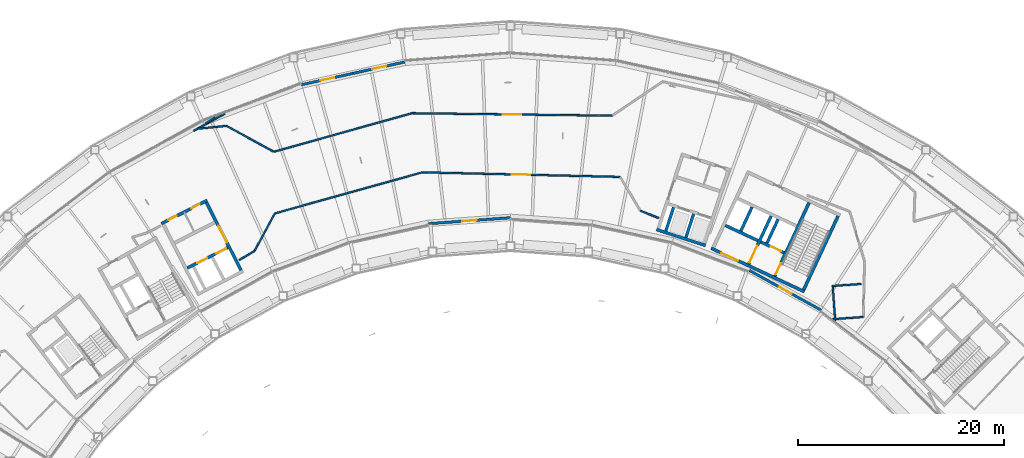
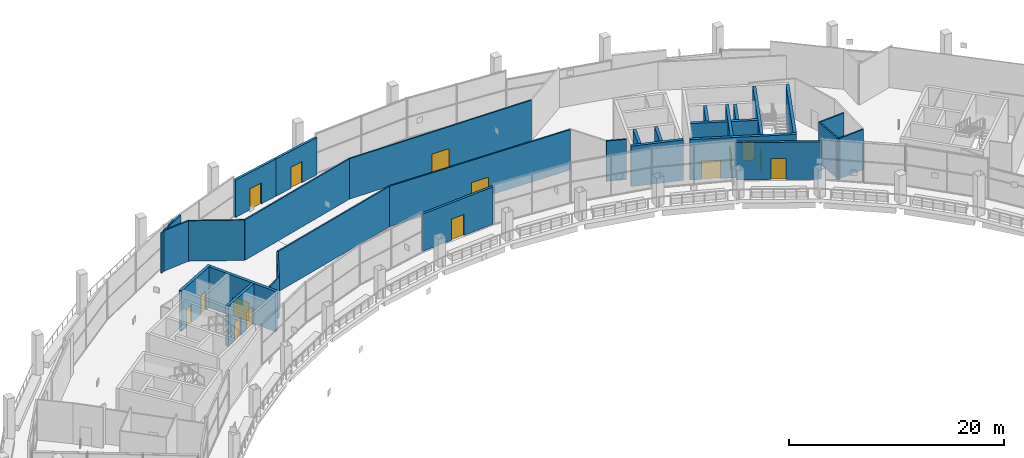
# One storey, part 17 of 29: 32 walls, 15 doors, 15 openings.
"""IFC4 building model written with IfcOpenShell, lengths in metres."""

from ifc_helpers import new_model, si_unit, direction, frame, frame_2d, origin, place, context, subcontext, project, spatial, rectangle, extrude, material, layer, layer_set, type_object, element, fill, save


model = new_model("IFC4")

# Units and contexts
model_context = context("Model", 3, precision=1e-05, world=origin(), true_north=direction((0.0, 1.0)))
body_context = subcontext(model_context, "Body", "Model", "MODEL_VIEW")
ifc_project = project(units=[si_unit("LENGTHUNIT", "METRE"), si_unit("AREAUNIT", "SQUARE_METRE"), si_unit("VOLUMEUNIT", "CUBIC_METRE"), si_unit("PLANEANGLEUNIT", "RADIAN"), si_unit("MASSUNIT", "GRAM", prefix="KILO")], contexts=[model_context])

# Site, building, storey
site_placement = place(None, origin())
site = spatial("IfcSite", under=ifc_project, at=site_placement, CompositionType="ELEMENT")
building_placement = place(site_placement, origin())
building = spatial("IfcBuilding", under=site, at=building_placement, Name="Tuul Gate Civic Tower", CompositionType="ELEMENT")
storey_placement = place(building_placement, frame((0.0, 0.0, 238.89990234375)))
storey = spatial("IfcBuildingStorey", under=building, at=storey_placement, Name="Sky garden level 2", CompositionType="ELEMENT", Elevation=238.89990234375)

# Wall, opening, door
ifc_material_1 = material(Name="Concrete C50/60", Category="concrete")
ifc_layer_1 = layer(ifc_material_1, 0.300048828125)
ifc_layer_set_1 = layer_set([ifc_layer_1], Name="Concrete C50/60")
wall_type_1 = type_object("IfcWallType", Name="Core wall C50/60", PredefinedType="SHEAR", material=ifc_layer_set_1)
wall_1_placement = place(storey_placement, frame((34.5283203125, -7.25, 0.0), z_axis=(0.0, 0.0, 1.0), x_axis=(-0.906310338845, 0.422612789327, 0.0)))
wall_1 = element("IfcWall", 1, at=wall_1_placement, inside=storey, type_object=wall_type_1, Name="Core wall", PredefinedType="SHEAR", context=body_context, shape_type="SweptSolid", body=[
    extrude(rectangle(XDim=9.999755859375, YDim=0.300048828125, at=frame_2d((5.0, 0.0))), origin(), (0.0, 0.0, 1.0), 4.60009765625),
])
opening_1_placement = place(wall_1_placement, frame((7.125, 0.0, 0.0)))
opening_1 = element("IfcOpeningElement", 2, at=opening_1_placement, cuts=wall_1, Name="Opening LB-E3-LOBBY-1", PredefinedType="OPENING", context=body_context, shape_type="SweptSolid", body=[
    extrude(rectangle(XDim=1.800048828125, YDim=2.10009765625, at=frame_2d((0.89990234375, 1.050048828125))), frame((0.0, 0.16015625, 0.0), z_axis=(0.0, -1.0, 0.0), x_axis=(1.0, 0.0, 0.0)), (0.0, 0.0, 1.0), 0.320068359375),
])
ifc_material_2 = material(Name="Steel", Category="steel")
door_type_1 = type_object("IfcDoorType", Name="Lobby door", OperationType="DOUBLE_DOOR_SINGLE_SWING", PredefinedType="DOOR", material=ifc_material_2)
door_1_placement = place(opening_1_placement, origin())
door_1 = element("IfcDoor", 3, at=door_1_placement, inside=storey, type_object=door_type_1, Name="Lobby door E3-LOBBY", OperationType="DOUBLE_DOOR_SINGLE_SWING", OverallHeight=2.10009765625, OverallWidth=1.800048828125, PredefinedType="DOOR", context=body_context, shape_type="SweptSolid", body=[
    extrude(rectangle(XDim=1.800048828125, YDim=2.10009765625, at=frame_2d((0.89990234375, 1.050048828125))), frame((0.0, 0.02490234375, 0.0), z_axis=(0.0, -1.0, 0.0), x_axis=(1.0, 0.0, 0.0)), (0.0, 0.0, 1.0), 0.050048828125),
])
fill(opening_1, door_1)

wall_2_placement = place(storey_placement, frame((32.545654296875, -3.456787109375, 0.0), z_axis=(0.0, 0.0, 1.0), x_axis=(-0.906300357825, 0.42263419337, 0.0)))
wall_2 = element("IfcWall", 4, at=wall_2_placement, inside=storey, type_object=wall_type_1, Name="Core wall", PredefinedType="SHEAR", context=body_context, shape_type="SweptSolid", body=[
    extrude(rectangle(XDim=2.500244140625, YDim=0.300048828125, at=frame_2d((1.25, 0.0))), origin(), (0.0, 0.0, 1.0), 4.60009765625),
])
opening_2_placement = place(wall_2_placement, frame((0.324951171875, 0.0, 0.0)))
opening_2 = element("IfcOpeningElement", 5, at=opening_2_placement, cuts=wall_2, Name="Opening LD-FF-2", PredefinedType="OPENING", context=body_context, shape_type="SweptSolid", body=[
    extrude(rectangle(XDim=1.10009765625, YDim=2.10009765625, at=frame_2d((0.550048828125, 1.050048828125))), frame((0.0, 0.16015625, 0.0), z_axis=(0.0, -1.0, 0.0), x_axis=(1.0, 0.0, 0.0)), (0.0, 0.0, 1.0), 0.320068359375),
])
ifc_material_3 = material(Name="Stainless steel", Category="steel")
door_type_2 = type_object("IfcDoorType", Name="Landing door", OperationType="DOUBLE_DOOR_SLIDING", PredefinedType="DOOR", material=ifc_material_3)
door_2_placement = place(opening_2_placement, origin())
door_2 = element("IfcDoor", 6, at=door_2_placement, inside=storey, type_object=door_type_2, Name="Fire-fighting lift FF-2 landing door", OperationType="DOUBLE_DOOR_SLIDING", OverallHeight=2.10009765625, OverallWidth=1.10009765625, PredefinedType="DOOR", context=body_context, shape_type="SweptSolid", body=[
    extrude(rectangle(XDim=1.10009765625, YDim=2.10009765625, at=frame_2d((0.550048828125, 1.050048828125))), frame((0.0, 0.02490234375, 0.0), z_axis=(0.0, -1.0, 0.0), x_axis=(1.0, 0.0, 0.0)), (0.0, 0.0, 1.0), 0.050048828125),
])
fill(opening_2, door_2)

# Walls
wall_3_placement = place(storey_placement, frame((30.0078125, -2.2734375, 0.0), z_axis=(0.0, 0.0, 1.0), x_axis=(-0.90630071767, 0.422633421716, 0.0)))
element("IfcWall", 7, at=wall_3_placement, inside=storey, type_object=wall_type_1, Name="Core wall", PredefinedType="SHEAR", context=body_context, shape_type="SweptSolid", body=[
    extrude(rectangle(XDim=3.5, YDim=0.300048828125, at=frame_2d((1.75, 0.0))), origin(), (0.0, 0.0, 1.0), 4.60009765625),
])
wall_4_placement = place(storey_placement, frame((34.455810546875, -7.05078125, 0.0), z_axis=(0.0, 0.0, 1.0), x_axis=(0.422570768258, 0.906329932096, 0.0)))
element("IfcWall", 8, at=wall_4_placement, inside=storey, type_object=wall_type_1, Name="Core wall", PredefinedType="SHEAR", context=body_context, shape_type="SweptSolid", body=[
    extrude(rectangle(XDim=7.900146484375, YDim=0.300048828125, at=frame_2d((3.9501953125, 0.0))), origin(), (0.0, 0.0, 1.0), 4.60009765625),
])

# Wall, opening, door
wall_5_placement = place(storey_placement, frame((31.646240234375, -5.740478515625, 0.0), z_axis=(0.0, 0.0, 1.0), x_axis=(0.422582604137, 0.906324413596, 0.0)))
wall_5 = element("IfcWall", 9, at=wall_5_placement, inside=storey, type_object=wall_type_1, Name="Core wall", PredefinedType="SHEAR", context=body_context, shape_type="SweptSolid", body=[
    extrude(rectangle(XDim=7.89990234375, YDim=0.300048828125, at=frame_2d((3.949951171875, 0.0))), origin(), (0.0, 0.0, 1.0), 4.60009765625),
])
opening_3_placement = place(wall_5_placement, frame((0.199951171875, 0.0, 0.0)))
opening_3 = element("IfcOpeningElement", 10, at=opening_3_placement, cuts=wall_5, Name="Opening SD-ST-4", PredefinedType="OPENING", context=body_context, shape_type="SweptSolid", body=[
    extrude(rectangle(XDim=1.199951171875, YDim=2.10009765625, at=frame_2d((0.60009765625, 1.050048828125))), frame((0.0, 0.16015625, 0.0), z_axis=(0.0, -1.0, 0.0), x_axis=(1.0, 0.0, 0.0)), (0.0, 0.0, 1.0), 0.320068359375),
])
ifc_material_4 = material(Name="Steel", Category="steel")
door_type_3 = type_object("IfcDoorType", Name="Stair door", OperationType="NOTDEFINED", PredefinedType="DOOR", material=ifc_material_4)
door_3_placement = place(opening_3_placement, origin())
door_3 = element("IfcDoor", 11, at=door_3_placement, inside=storey, type_object=door_type_3, Name="Stair door ST-4", OperationType="SINGLE_SWING_LEFT", OverallHeight=2.10009765625, OverallWidth=1.199951171875, PredefinedType="DOOR", context=body_context, shape_type="SweptSolid", body=[
    extrude(rectangle(XDim=1.199951171875, YDim=2.10009765625, at=frame_2d((0.60009765625, 1.050048828125))), frame((0.0, 0.02490234375, 0.0), z_axis=(0.0, -1.0, 0.0), x_axis=(1.0, 0.0, 0.0)), (0.0, 0.0, 1.0), 0.050048828125),
])
fill(opening_3, door_3)

# Wall
wall_6_placement = place(storey_placement, frame((30.886962890625, -2.517822265625, 0.0), z_axis=(0.0, 0.0, 1.0), x_axis=(0.422612891016, 0.906310291427, 0.0)))
element("IfcWall", 12, at=wall_6_placement, inside=storey, type_object=wall_type_1, Name="Core wall", PredefinedType="SHEAR", context=body_context, shape_type="SweptSolid", body=[
    extrude(rectangle(XDim=2.550048828125, YDim=0.300048828125, at=frame_2d((1.27490234375, 0.0))), origin(), (0.0, 0.0, 1.0), 4.60009765625),
])

# Wall, opening, door
wall_7_placement = place(storey_placement, frame((29.108642578125, -4.557373046875, 0.0), z_axis=(0.0, 0.0, 1.0), x_axis=(0.422566235356, 0.90633204552, 0.0)))
wall_7 = element("IfcWall", 13, at=wall_7_placement, inside=storey, type_object=wall_type_1, Name="Core wall", PredefinedType="SHEAR", context=body_context, shape_type="SweptSolid", body=[
    extrude(rectangle(XDim=5.150146484375, YDim=0.300048828125, at=frame_2d((2.5751953125, 0.0))), origin(), (0.0, 0.0, 1.0), 4.60009765625),
])
opening_4_placement = place(wall_7_placement, frame((0.175048828125, 0.0, 0.0)))
opening_4 = element("IfcOpeningElement", 14, at=opening_4_placement, cuts=wall_7, Name="Opening LB-E3-FLOBBY-1", PredefinedType="OPENING", context=body_context, shape_type="SweptSolid", body=[
    extrude(rectangle(XDim=1.800048828125, YDim=2.10009765625, at=frame_2d((0.89990234375, 1.050048828125))), frame((0.0, 0.16015625, 0.0), z_axis=(0.0, -1.0, 0.0), x_axis=(1.0, 0.0, 0.0)), (0.0, 0.0, 1.0), 0.320068359375),
])
door_4_placement = place(opening_4_placement, frame((1.800048828125, 0.0, 0.0), z_axis=(0.0, 0.0, 1.0), x_axis=(-1.0, 0.0, 0.0)))
door_4 = element("IfcDoor", 15, at=door_4_placement, inside=storey, type_object=door_type_1, Name="Lobby door E3-FLOBBY", OperationType="DOUBLE_DOOR_SINGLE_SWING", OverallHeight=2.10009765625, OverallWidth=1.800048828125, PredefinedType="DOOR", context=body_context, shape_type="SweptSolid", body=[
    extrude(rectangle(XDim=1.800048828125, YDim=2.10009765625, at=frame_2d((0.900146484375, 1.050048828125))), frame((0.0, 0.02490234375, 0.0), z_axis=(0.0, -1.0, 0.0), x_axis=(1.0, 0.0, 0.0)), (0.0, 0.0, 1.0), 0.050048828125),
])
fill(opening_4, door_4)

# Walls
wall_8_placement = place(storey_placement, frame((28.349365234375, -1.33447265625, 0.0), z_axis=(0.0, 0.0, 1.0), x_axis=(0.422612891016, 0.906310291427, 0.0)))
element("IfcWall", 16, at=wall_8_placement, inside=storey, type_object=wall_type_1, Name="Core wall", PredefinedType="SHEAR", context=body_context, shape_type="SweptSolid", body=[
    extrude(rectangle(XDim=2.550048828125, YDim=0.300048828125, at=frame_2d((1.27490234375, 0.0))), origin(), (0.0, 0.0, 1.0), 4.60009765625),
])
ifc_material_5 = material(Name="Gypsum board partition")
ifc_layer_2 = layer(ifc_material_5, 0.14990234375)
ifc_layer_set_2 = layer_set([ifc_layer_2], Name="Gypsum board partition")
wall_type_2 = type_object("IfcWallType", Name="Corridor wall P150", PredefinedType="PARTITIONING", material=ifc_layer_set_2)
wall_9_placement = place(storey_placement, frame((-24.836669921875, 8.39111328125, 0.0), z_axis=(0.0, 0.0, 1.0), x_axis=(0.874616808014, 0.48481485037, 0.0)))
element("IfcWall", 17, at=wall_9_placement, inside=storey, type_object=wall_type_2, Name="p007", PredefinedType="PARTITIONING", context=body_context, shape_type="SweptSolid", body=[
    extrude(rectangle(XDim=3.430419921875, YDim=0.14990234375, at=frame_2d((1.71533203125, 0.0))), origin(), (0.0, 0.0, 1.0), 4.60009765625),
])

# Wall, opening, door
wall_10_placement = place(storey_placement, frame((-3.617431640625, 10.10400390625, 0.0), z_axis=(0.0, 0.0, 1.0), x_axis=(0.999925709317, -0.012189169262, 0.0)))
wall_10 = element("IfcWall", 18, at=wall_10_placement, inside=storey, type_object=wall_type_2, Name="p020", PredefinedType="PARTITIONING", context=body_context, shape_type="SweptSolid", body=[
    extrude(rectangle(XDim=19.468505859375, YDim=0.14990234375, at=frame_2d((9.734375, 0.0))), origin(), (0.0, 0.0, 1.0), 4.60009765625),
])
opening_5_placement = place(wall_10_placement, frame((8.83447265625, 0.0, 0.0)))
opening_5 = element("IfcOpeningElement", 19, at=opening_5_placement, cuts=wall_10, Name="Opening T-D02", PredefinedType="OPENING", context=body_context, shape_type="SweptSolid", body=[
    extrude(rectangle(XDim=1.800048828125, YDim=2.10009765625, at=frame_2d((0.89990234375, 1.050048828125))), frame((0.0, 0.0849609375, 0.0), z_axis=(0.0, -1.0, 0.0), x_axis=(1.0, 0.0, 0.0)), (0.0, 0.0, 1.0), 0.169921875),
])
ifc_material_6 = material(Name="Timber door leaf, double", Category="wood")
door_type_4 = type_object("IfcDoorType", Name="Door D18", OperationType="DOUBLE_DOOR_SINGLE_SWING", PredefinedType="DOOR", material=ifc_material_6)
door_5_placement = place(opening_5_placement, origin())
door_5 = element("IfcDoor", 20, at=door_5_placement, inside=storey, type_object=door_type_4, Name="Door T-D02", OperationType="DOUBLE_DOOR_SINGLE_SWING", OverallHeight=2.10009765625, OverallWidth=1.800048828125, PredefinedType="DOOR", context=body_context, shape_type="SweptSolid", body=[
    extrude(rectangle(XDim=1.800048828125, YDim=2.10009765625, at=frame_2d((0.89990234375, 1.050048828125))), frame((0.0, 0.02490234375, 0.0), z_axis=(0.0, -1.0, 0.0), x_axis=(1.0, 0.0, 0.0)), (0.0, 0.0, 1.0), 0.050048828125),
])
fill(opening_5, door_5)

# Walls
wall_11_placement = place(storey_placement, frame((-17.0498046875, 6.36083984375, 0.0), z_axis=(0.0, 0.0, 1.0), x_axis=(0.963296074439, 0.268441190897, 0.0)))
element("IfcWall", 21, at=wall_11_placement, inside=storey, type_object=wall_type_2, Name="p021", PredefinedType="PARTITIONING", context=body_context, shape_type="SweptSolid", body=[
    extrude(rectangle(XDim=13.943115234375, YDim=0.14990234375, at=frame_2d((6.9716796875, 0.0))), origin(), (0.0, 0.0, 1.0), 4.60009765625),
])
wall_12_placement = place(storey_placement, frame((-21.662353515625, 8.87353515625, 0.0), z_axis=(0.0, 0.0, 1.0), x_axis=(0.877640761039, -0.479318990404, 0.0)))
element("IfcWall", 22, at=wall_12_placement, inside=storey, type_object=wall_type_2, Name="p022", PredefinedType="PARTITIONING", context=body_context, shape_type="SweptSolid", body=[
    extrude(rectangle(XDim=5.23876953125, YDim=0.14990234375, at=frame_2d((2.619384765625, 0.0))), origin(), (0.0, 0.0, 1.0), 4.60009765625),
])
wall_13_placement = place(storey_placement, frame((-24.51171875, 8.58740234375, 0.0), z_axis=(0.0, 0.0, 1.0), x_axis=(0.994983852379, 0.100035661167, 0.0)))
element("IfcWall", 23, at=wall_13_placement, inside=storey, type_object=wall_type_2, Name="p023", PredefinedType="PARTITIONING", context=body_context, shape_type="SweptSolid", body=[
    extrude(rectangle(XDim=2.86279296875, YDim=0.14990234375, at=frame_2d((1.431396484375, 0.0))), origin(), (0.0, 0.0, 1.0), 4.60009765625),
])
wall_14_placement = place(storey_placement, frame((-23.669921875, 9.1181640625, 0.0), z_axis=(0.0, 0.0, 1.0), x_axis=(0.837079858708, 0.547080716298, 0.0)))
element("IfcWall", 24, at=wall_14_placement, inside=storey, type_object=wall_type_2, Name="p024", PredefinedType="PARTITIONING", context=body_context, shape_type="SweptSolid", body=[
    extrude(rectangle(XDim=1.05322265625, YDim=0.14990234375, at=frame_2d((0.526611328125, 0.0))), origin(), (0.0, 0.0, 1.0), 4.60009765625),
])
wall_15_placement = place(storey_placement, frame((37.2880859375, -9.91650390625, 0.0), z_axis=(0.0, 0.0, 1.0), x_axis=(0.997541329214, 0.070080642905, 0.0)))
element("IfcWall", 25, at=wall_15_placement, inside=storey, type_object=wall_type_2, Name="p035", PredefinedType="PARTITIONING", context=body_context, shape_type="SweptSolid", body=[
    extrude(rectangle(XDim=2.97509765625, YDim=0.14990234375, at=frame_2d((1.487548828125, 0.0))), origin(), (0.0, 0.0, 1.0), 4.60009765625),
])
wall_16_placement = place(storey_placement, frame((37.275390625, -6.668701171875, 0.0), z_axis=(0.0, 0.0, 1.0), x_axis=(0.070113879603, -0.997538993667, 0.0)))
element("IfcWall", 26, at=wall_16_placement, inside=storey, type_object=wall_type_2, Name="p036", PredefinedType="PARTITIONING", context=body_context, shape_type="SweptSolid", body=[
    extrude(rectangle(XDim=3.429931640625, YDim=0.14990234375, at=frame_2d((1.71484375, 0.0))), origin(), (0.0, 0.0, 1.0), 4.60009765625),
])
wall_17_placement = place(storey_placement, frame((37.255859375, -6.69091796875, 0.0), z_axis=(0.0, 0.0, 1.0), x_axis=(0.997543102997, 0.070055389967, 0.0)))
element("IfcWall", 27, at=wall_17_placement, inside=storey, type_object=wall_type_2, Name="p037", PredefinedType="PARTITIONING", context=body_context, shape_type="SweptSolid", body=[
    extrude(rectangle(XDim=2.781005859375, YDim=0.14990234375, at=frame_2d((1.390625, 0.0))), origin(), (0.0, 0.0, 1.0), 4.60009765625),
])
wall_18_placement = place(storey_placement, frame((-20.423583984375, -4.1669921875, 0.0), z_axis=(0.0, 0.0, 1.0), x_axis=(0.859178719623, 0.511675607927, 0.0)))
element("IfcWall", 28, at=wall_18_placement, inside=storey, type_object=wall_type_2, Name="p045", PredefinedType="PARTITIONING", context=body_context, shape_type="SweptSolid", body=[
    extrude(rectangle(XDim=1.745849609375, YDim=0.14990234375, at=frame_2d((0.873046875, 0.0))), origin(), (0.0, 0.0, 1.0), 4.60009765625),
])
wall_19_placement = place(storey_placement, frame((-18.923583984375, -3.273681640625, 0.0), z_axis=(0.0, 0.0, 1.0), x_axis=(0.473972659969, 0.880539560498, 0.0)))
element("IfcWall", 29, at=wall_19_placement, inside=storey, type_object=wall_type_2, Name="p046", PredefinedType="PARTITIONING", context=body_context, shape_type="SweptSolid", body=[
    extrude(rectangle(XDim=4.121826171875, YDim=0.14990234375, at=frame_2d((2.06103515625, 0.0))), origin(), (0.0, 0.0, 1.0), 4.60009765625),
])
wall_20_placement = place(storey_placement, frame((-16.96142578125, 0.364013671875, 0.0), z_axis=(0.0, 0.0, 1.0), x_axis=(0.963301549207, 0.268421544024, 0.0)))
element("IfcWall", 30, at=wall_20_placement, inside=storey, type_object=wall_type_2, Name="p047", PredefinedType="PARTITIONING", context=body_context, shape_type="SweptSolid", body=[
    extrude(rectangle(XDim=14.878173828125, YDim=0.14990234375, at=frame_2d((7.43896484375, 0.0))), origin(), (0.0, 0.0, 1.0), 4.60009765625),
])

# Wall, opening, door
wall_21_placement = place(storey_placement, frame((-2.629150390625, 4.357666015625, 0.0), z_axis=(0.0, 0.0, 1.0), x_axis=(0.999732914641, -0.023110590265, 0.0)))
wall_21 = element("IfcWall", 31, at=wall_21_placement, inside=storey, type_object=wall_type_2, Name="p048", PredefinedType="PARTITIONING", context=body_context, shape_type="SweptSolid", body=[
    extrude(rectangle(XDim=19.237060546875, YDim=0.14990234375, at=frame_2d((9.61865234375, 0.0))), origin(), (0.0, 0.0, 1.0), 4.60009765625),
])
opening_6_placement = place(wall_21_placement, frame((8.718505859375, 0.0, 0.0)))
opening_6 = element("IfcOpeningElement", 32, at=opening_6_placement, cuts=wall_21, Name="Opening T-D05", PredefinedType="OPENING", context=body_context, shape_type="SweptSolid", body=[
    extrude(rectangle(XDim=1.800048828125, YDim=2.10009765625, at=frame_2d((0.89990234375, 1.050048828125))), frame((0.0, 0.0849609375, 0.0), z_axis=(0.0, -1.0, 0.0), x_axis=(1.0, 0.0, 0.0)), (0.0, 0.0, 1.0), 0.169921875),
])
door_6_placement = place(opening_6_placement, frame((1.800048828125, 0.0, 0.0), z_axis=(0.0, 0.0, 1.0), x_axis=(-1.0, 0.0, 0.0)))
door_6 = element("IfcDoor", 33, at=door_6_placement, inside=storey, type_object=door_type_4, Name="Door T-D05", OperationType="DOUBLE_DOOR_SINGLE_SWING", OverallHeight=2.10009765625, OverallWidth=1.800048828125, PredefinedType="DOOR", context=body_context, shape_type="SweptSolid", body=[
    extrude(rectangle(XDim=1.800048828125, YDim=2.10009765625, at=frame_2d((0.900146484375, 1.050048828125))), frame((0.0, 0.02490234375, 0.0), z_axis=(0.0, -1.0, 0.0), x_axis=(1.0, 0.0, 0.0)), (0.0, 0.0, 1.0), 0.050048828125),
])
fill(opening_6, door_6)

# Wall
wall_22_placement = place(storey_placement, frame((18.572509765625, 0.623291015625, 0.0), z_axis=(0.0, 0.0, 1.0), x_axis=(0.928695272838, -0.370843754441, 0.0)))
element("IfcWall", 34, at=wall_22_placement, inside=storey, type_object=wall_type_2, Name="p050", PredefinedType="PARTITIONING", context=body_context, shape_type="SweptSolid", body=[
    extrude(rectangle(XDim=1.92431640625, YDim=0.14990234375, at=frame_2d((0.962158203125, 0.0))), origin(), (0.0, 0.0, 1.0), 4.60009765625),
])

# Wall, opening, door
ifc_material_7 = material(Name="Precast concrete C40/50", Category="concrete")
ifc_layer_3 = layer(ifc_material_7, 0.25)
ifc_layer_set_3 = layer_set([ifc_layer_3], Name="Precast concrete C40/50")
wall_type_3 = type_object("IfcWallType", Name="External wall", PredefinedType="STANDARD", material=ifc_layer_set_3)
wall_23_placement = place(storey_placement, frame((-4.30712890625, 15.092041015625, 0.0), z_axis=(0.0, 0.0, 1.0), x_axis=(-0.976557048773, -0.215258752414, 0.0)))
wall_23 = element("IfcWall", 35, at=wall_23_placement, inside=storey, type_object=wall_type_3, Name="External wall", PredefinedType="STANDARD", context=body_context, shape_type="SweptSolid", body=[
    extrude(rectangle(XDim=5.150390625, YDim=0.25, at=frame_2d((2.5751953125, 0.0))), origin(), (0.0, 0.0, 1.0), 4.25),
])
opening_7_placement = place(wall_23_placement, frame((1.875, 0.0, 0.0)))
opening_7 = element("IfcOpeningElement", 36, at=opening_7_placement, cuts=wall_23, Name="Opening TD", PredefinedType="OPENING", context=body_context, shape_type="SweptSolid", body=[
    extrude(rectangle(XDim=1.39990234375, YDim=2.39990234375, at=frame_2d((0.699951171875, 1.199951171875))), frame((0.0, 0.135009765625, 0.0), z_axis=(0.0, -1.0, 0.0), x_axis=(1.0, 0.0, 0.0)), (0.0, 0.0, 1.0), 0.27001953125),
])
ifc_material_8 = material(Name="Glazed aluminium", Category="aluminium")
door_type_5 = type_object("IfcDoorType", Name="Terrace door", OperationType="DOUBLE_DOOR_SINGLE_SWING", PredefinedType="DOOR", material=ifc_material_8)
door_7_placement = place(opening_7_placement, frame((1.39990234375, 0.0, 0.0), z_axis=(0.0, 0.0, 1.0), x_axis=(-1.0, 0.0, 0.0)))
door_7 = element("IfcDoor", 37, at=door_7_placement, inside=storey, type_object=door_type_5, Name="Terrace door", OperationType="DOUBLE_DOOR_SINGLE_SWING", OverallHeight=2.39990234375, OverallWidth=1.39990234375, PredefinedType="DOOR", context=body_context, shape_type="SweptSolid", body=[
    extrude(rectangle(XDim=1.39990234375, YDim=2.39990234375, at=frame_2d((0.699951171875, 1.199951171875))), frame((0.0, 0.02490234375, 0.0), z_axis=(0.0, -1.0, 0.0), x_axis=(1.0, 0.0, 0.0)), (0.0, 0.0, 1.0), 0.050048828125),
])
fill(opening_7, door_7)

wall_24_placement = place(storey_placement, frame((-9.336669921875, 13.9833984375, 0.0), z_axis=(0.0, 0.0, 1.0), x_axis=(-0.97656701261, -0.21521354484, 0.0)))
wall_24 = element("IfcWall", 38, at=wall_24_placement, inside=storey, type_object=wall_type_3, Name="External wall", PredefinedType="STANDARD", context=body_context, shape_type="SweptSolid", body=[
    extrude(rectangle(XDim=5.150146484375, YDim=0.25, at=frame_2d((2.5751953125, 0.0))), origin(), (0.0, 0.0, 1.0), 4.25),
])
opening_8_placement = place(wall_24_placement, frame((1.875, 0.0, 0.0)))
opening_8 = element("IfcOpeningElement", 39, at=opening_8_placement, cuts=wall_24, Name="Opening TD", PredefinedType="OPENING", context=body_context, shape_type="SweptSolid", body=[
    extrude(rectangle(XDim=1.39990234375, YDim=2.39990234375, at=frame_2d((0.699951171875, 1.199951171875))), frame((0.0, 0.135009765625, 0.0), z_axis=(0.0, -1.0, 0.0), x_axis=(1.0, 0.0, 0.0)), (0.0, 0.0, 1.0), 0.27001953125),
])
door_8_placement = place(opening_8_placement, frame((1.39990234375, 0.0, 0.0), z_axis=(0.0, 0.0, 1.0), x_axis=(-1.0, 0.0, 0.0)))
door_8 = element("IfcDoor", 40, at=door_8_placement, inside=storey, type_object=door_type_5, Name="Terrace door", OperationType="DOUBLE_DOOR_SINGLE_SWING", OverallHeight=2.39990234375, OverallWidth=1.39990234375, PredefinedType="DOOR", context=body_context, shape_type="SweptSolid", body=[
    extrude(rectangle(XDim=1.39990234375, YDim=2.39990234375, at=frame_2d((0.699951171875, 1.199951171875))), frame((0.0, 0.02490234375, 0.0), z_axis=(0.0, -1.0, 0.0), x_axis=(1.0, 0.0, 0.0)), (0.0, 0.0, 1.0), 0.050048828125),
])
fill(opening_8, door_8)

wall_25_placement = place(storey_placement, frame((-2.01708984375, -0.63427734375, 0.0), z_axis=(0.0, 0.0, 1.0), x_axis=(0.997393750302, 0.072150584609, 0.0)))
wall_25 = element("IfcWall", 41, at=wall_25_placement, inside=storey, type_object=wall_type_3, Name="External wall", PredefinedType="STANDARD", context=body_context, shape_type="SweptSolid", body=[
    extrude(rectangle(XDim=7.96875, YDim=0.25, at=frame_2d((3.984375, 0.0))), origin(), (0.0, 0.0, 1.0), 4.25),
])
opening_9_placement = place(wall_25_placement, frame((3.284423828125, 0.0, 0.0)))
opening_9 = element("IfcOpeningElement", 42, at=opening_9_placement, cuts=wall_25, Name="Opening TD", PredefinedType="OPENING", context=body_context, shape_type="SweptSolid", body=[
    extrude(rectangle(XDim=1.39990234375, YDim=2.39990234375, at=frame_2d((0.699951171875, 1.199951171875))), frame((0.0, 0.135009765625, 0.0), z_axis=(0.0, -1.0, 0.0), x_axis=(1.0, 0.0, 0.0)), (0.0, 0.0, 1.0), 0.27001953125),
])
door_9_placement = place(opening_9_placement, frame((1.39990234375, 0.0, 0.0), z_axis=(0.0, 0.0, 1.0), x_axis=(-1.0, 0.0, 0.0)))
door_9 = element("IfcDoor", 43, at=door_9_placement, inside=storey, type_object=door_type_5, Name="Terrace door", OperationType="DOUBLE_DOOR_SINGLE_SWING", OverallHeight=2.39990234375, OverallWidth=1.39990234375, PredefinedType="DOOR", context=body_context, shape_type="SweptSolid", body=[
    extrude(rectangle(XDim=1.39990234375, YDim=2.39990234375, at=frame_2d((0.699951171875, 1.199951171875))), frame((0.0, 0.02490234375, 0.0), z_axis=(0.0, -1.0, 0.0), x_axis=(1.0, 0.0, 0.0)), (0.0, 0.0, 1.0), 0.050048828125),
])
fill(opening_9, door_9)

wall_26_placement = place(storey_placement, frame((29.1826171875, -5.18359375, 0.0), z_axis=(0.0, 0.0, 1.0), x_axis=(0.874616483448, -0.484815435894, 0.0)))
wall_26 = element("IfcWall", 44, at=wall_26_placement, inside=storey, type_object=wall_type_3, Name="External wall", PredefinedType="STANDARD", context=body_context, shape_type="SweptSolid", body=[
    extrude(rectangle(XDim=7.968017578125, YDim=0.25, at=frame_2d((3.98388671875, 0.0))), origin(), (0.0, 0.0, 1.0), 4.25),
])
opening_10_placement = place(wall_26_placement, frame((3.283935546875, 0.0, 0.0)))
opening_10 = element("IfcOpeningElement", 45, at=opening_10_placement, cuts=wall_26, Name="Opening TD", PredefinedType="OPENING", context=body_context, shape_type="SweptSolid", body=[
    extrude(rectangle(XDim=1.39990234375, YDim=2.39990234375, at=frame_2d((0.699951171875, 1.199951171875))), frame((0.0, 0.135009765625, 0.0), z_axis=(0.0, -1.0, 0.0), x_axis=(1.0, 0.0, 0.0)), (0.0, 0.0, 1.0), 0.27001953125),
])
door_10_placement = place(opening_10_placement, frame((1.39990234375, 0.0, 0.0), z_axis=(0.0, 0.0, 1.0), x_axis=(-1.0, 0.0, 0.0)))
door_10 = element("IfcDoor", 46, at=door_10_placement, inside=storey, type_object=door_type_5, Name="Terrace door", OperationType="DOUBLE_DOOR_SINGLE_SWING", OverallHeight=2.39990234375, OverallWidth=1.39990234375, PredefinedType="DOOR", context=body_context, shape_type="SweptSolid", body=[
    extrude(rectangle(XDim=1.39990234375, YDim=2.39990234375, at=frame_2d((0.699951171875, 1.199951171875))), frame((0.0, 0.02490234375, 0.0), z_axis=(0.0, -1.0, 0.0), x_axis=(1.0, 0.0, 0.0)), (0.0, 0.0, 1.0), 0.050048828125),
])
fill(opening_10, door_10)

# Wall, openings, doors
ifc_material_9 = material(Name="Concrete C40/50", Category="concrete")
ifc_layer_4 = layer(ifc_material_9, 0.300048828125)
ifc_layer_set_4 = layer_set([ifc_layer_4], Name="Concrete C40/50")
wall_type_4 = type_object("IfcWallType", Name="Lift shaft wall C40/50", PredefinedType="STANDARD", material=ifc_layer_set_4)
wall_27_placement = place(storey_placement, frame((-21.542236328125, -2.962890625, 0.0), z_axis=(0.0, 0.0, 1.0), x_axis=(-0.891005618941, -0.453992276384, 0.0)))
wall_27 = element("IfcWall", 47, at=wall_27_placement, inside=storey, type_object=wall_type_4, Name="Shaft wall", PredefinedType="STANDARD", context=body_context, shape_type="SweptSolid", body=[
    extrude(rectangle(XDim=4.39990234375, YDim=0.300048828125, at=frame_2d((2.199951171875, 0.0))), origin(), (0.0, 0.0, 1.0), 4.60009765625),
])
opening_11_placement = place(wall_27_placement, frame((0.175048828125, 0.0, 0.0)))
opening_11 = element("IfcOpeningElement", 48, at=opening_11_placement, cuts=wall_27, Name="Opening LD-M1", PredefinedType="OPENING", context=body_context, shape_type="SweptSolid", body=[
    extrude(rectangle(XDim=1.10009765625, YDim=2.10009765625, at=frame_2d((0.550048828125, 1.050048828125))), frame((0.0, 0.16015625, 0.0), z_axis=(0.0, -1.0, 0.0), x_axis=(1.0, 0.0, 0.0)), (0.0, 0.0, 1.0), 0.320068359375),
])
opening_12_placement = place(wall_27_placement, frame((2.22509765625, 0.0, 0.0)))
opening_12 = element("IfcOpeningElement", 49, at=opening_12_placement, cuts=wall_27, Name="Opening LD-M2", PredefinedType="OPENING", context=body_context, shape_type="SweptSolid", body=[
    extrude(rectangle(XDim=1.10009765625, YDim=2.10009765625, at=frame_2d((0.550048828125, 1.050048828125))), frame((0.0, 0.16015625, 0.0), z_axis=(0.0, -1.0, 0.0), x_axis=(1.0, 0.0, 0.0)), (0.0, 0.0, 1.0), 0.320068359375),
])
door_11_placement = place(opening_11_placement, origin())
door_11 = element("IfcDoor", 50, at=door_11_placement, inside=storey, type_object=door_type_2, Name="Mid-rise lift M1 landing door", OperationType="DOUBLE_DOOR_SLIDING", OverallHeight=2.10009765625, OverallWidth=1.10009765625, PredefinedType="DOOR", context=body_context, shape_type="SweptSolid", body=[
    extrude(rectangle(XDim=1.10009765625, YDim=2.10009765625, at=frame_2d((0.550048828125, 1.050048828125))), frame((0.0, 0.02490234375, 0.0), z_axis=(0.0, -1.0, 0.0), x_axis=(1.0, 0.0, 0.0)), (0.0, 0.0, 1.0), 0.050048828125),
])
fill(opening_11, door_11)
door_12_placement = place(opening_12_placement, origin())
door_12 = element("IfcDoor", 51, at=door_12_placement, inside=storey, type_object=door_type_2, Name="Mid-rise lift M2 landing door", OperationType="DOUBLE_DOOR_SLIDING", OverallHeight=2.10009765625, OverallWidth=1.10009765625, PredefinedType="DOOR", context=body_context, shape_type="SweptSolid", body=[
    extrude(rectangle(XDim=1.10009765625, YDim=2.10009765625, at=frame_2d((0.550048828125, 1.050048828125))), frame((0.0, 0.02490234375, 0.0), z_axis=(0.0, -1.0, 0.0), x_axis=(1.0, 0.0, 0.0)), (0.0, 0.0, 1.0), 0.050048828125),
])
fill(opening_12, door_12)

wall_28_placement = place(storey_placement, frame((-23.544921875, 1.62841796875, 0.0), z_axis=(0.0, 0.0, 1.0), x_axis=(-0.891002976909, -0.453997461601, 0.0)))
wall_28 = element("IfcWall", 52, at=wall_28_placement, inside=storey, type_object=wall_type_4, Name="Shaft wall", PredefinedType="STANDARD", context=body_context, shape_type="SweptSolid", body=[
    extrude(rectangle(XDim=5.0, YDim=0.300048828125, at=frame_2d((2.5, 0.0))), origin(), (0.0, 0.0, 1.0), 4.60009765625),
])
opening_13_placement = place(wall_28_placement, frame((0.800048828125, 0.0, 0.0)))
opening_13 = element("IfcOpeningElement", 53, at=opening_13_placement, cuts=wall_28, Name="Opening T-D14", PredefinedType="OPENING", context=body_context, shape_type="SweptSolid", body=[
    extrude(rectangle(XDim=0.89990234375, YDim=2.10009765625, at=frame_2d((0.449951171875, 1.050048828125))), frame((0.0, 0.16015625, 0.0), z_axis=(0.0, -1.0, 0.0), x_axis=(1.0, 0.0, 0.0)), (0.0, 0.0, 1.0), 0.320068359375),
])
opening_14_placement = place(wall_28_placement, frame((3.300048828125, 0.0, 0.0)))
opening_14 = element("IfcOpeningElement", 54, at=opening_14_placement, cuts=wall_28, Name="Opening T-D15", PredefinedType="OPENING", context=body_context, shape_type="SweptSolid", body=[
    extrude(rectangle(XDim=0.89990234375, YDim=2.10009765625, at=frame_2d((0.449951171875, 1.050048828125))), frame((0.0, 0.16015625, 0.0), z_axis=(0.0, -1.0, 0.0), x_axis=(1.0, 0.0, 0.0)), (0.0, 0.0, 1.0), 0.320068359375),
])
ifc_material_10 = material(Name="Timber door leaf", Category="wood")
door_type_6 = type_object("IfcDoorType", Name="Door D09", OperationType="NOTDEFINED", PredefinedType="DOOR", material=ifc_material_10)
door_13_placement = place(opening_13_placement, origin())
door_13 = element("IfcDoor", 55, at=door_13_placement, inside=storey, type_object=door_type_6, Name="Door T-D14", OperationType="SINGLE_SWING_RIGHT", OverallHeight=2.10009765625, OverallWidth=0.89990234375, PredefinedType="DOOR", context=body_context, shape_type="SweptSolid", body=[
    extrude(rectangle(XDim=0.89990234375, YDim=2.10009765625, at=frame_2d((0.449951171875, 1.050048828125))), frame((0.0, 0.02490234375, 0.0), z_axis=(0.0, -1.0, 0.0), x_axis=(1.0, 0.0, 0.0)), (0.0, 0.0, 1.0), 0.050048828125),
])
fill(opening_13, door_13)
door_14_placement = place(opening_14_placement, origin())
door_14 = element("IfcDoor", 56, at=door_14_placement, inside=storey, type_object=door_type_6, Name="Door T-D15", OperationType="SINGLE_SWING_LEFT", OverallHeight=2.10009765625, OverallWidth=0.89990234375, PredefinedType="DOOR", context=body_context, shape_type="SweptSolid", body=[
    extrude(rectangle(XDim=0.89990234375, YDim=2.10009765625, at=frame_2d((0.449951171875, 1.050048828125))), frame((0.0, 0.02490234375, 0.0), z_axis=(0.0, -1.0, 0.0), x_axis=(1.0, 0.0, 0.0)), (0.0, 0.0, 1.0), 0.050048828125),
])
fill(opening_14, door_14)

# Wall, opening, door
wall_29_placement = place(storey_placement, frame((-20.2509765625, -5.166748046875, 0.0), z_axis=(0.0, 0.0, 1.0), x_axis=(-0.45401029361, 0.89099643843, 0.0)))
wall_29 = element("IfcWall", 57, at=wall_29_placement, inside=storey, type_object=wall_type_4, Name="Shaft wall", PredefinedType="STANDARD", context=body_context, shape_type="SweptSolid", body=[
    extrude(rectangle(XDim=7.39990234375, YDim=0.300048828125, at=frame_2d((3.699951171875, 0.0))), origin(), (0.0, 0.0, 1.0), 4.60009765625),
])
opening_15_placement = place(wall_29_placement, frame((3.02490234375, 0.0, 0.0)))
opening_15 = element("IfcOpeningElement", 58, at=opening_15_placement, cuts=wall_29, Name="Opening LB-W3-LOBBY-1", PredefinedType="OPENING", context=body_context, shape_type="SweptSolid", body=[
    extrude(rectangle(XDim=1.800048828125, YDim=2.10009765625, at=frame_2d((0.89990234375, 1.050048828125))), frame((0.0, 0.16015625, 0.0), z_axis=(0.0, -1.0, 0.0), x_axis=(1.0, 0.0, 0.0)), (0.0, 0.0, 1.0), 0.320068359375),
])
door_15_placement = place(opening_15_placement, origin())
door_15 = element("IfcDoor", 59, at=door_15_placement, inside=storey, type_object=door_type_1, Name="Lobby door W3-LOBBY", OperationType="DOUBLE_DOOR_SINGLE_SWING", OverallHeight=2.10009765625, OverallWidth=1.800048828125, PredefinedType="DOOR", context=body_context, shape_type="SweptSolid", body=[
    extrude(rectangle(XDim=1.800048828125, YDim=2.10009765625, at=frame_2d((0.89990234375, 1.050048828125))), frame((0.0, 0.02490234375, 0.0), z_axis=(0.0, -1.0, 0.0), x_axis=(1.0, 0.0, 0.0)), (0.0, 0.0, 1.0), 0.050048828125),
])
fill(opening_15, door_15)

# Walls
wall_30_placement = place(storey_placement, frame((24.911376953125, -2.746337890625, 0.0), z_axis=(0.0, 0.0, 1.0), x_axis=(-0.951067792613, 0.308982287281, 0.0)))
element("IfcWall", 60, at=wall_30_placement, inside=storey, type_object=wall_type_4, Name="Shaft wall", PredefinedType="STANDARD", context=body_context, shape_type="SweptSolid", body=[
    extrude(rectangle(XDim=5.0, YDim=0.300048828125, at=frame_2d((2.5, 0.0))), origin(), (0.0, 0.0, 1.0), 4.60009765625),
])
for number, where, z_axis, x_axis, name in (
    (61, (23.008056640625, -1.97021484375, 0.0), (0.0, 0.0, 1.0), (0.309138975195, 0.951016873675, 0.0), "Shaft wall"),
    (62, (21.058349609375, -1.336669921875, 0.0), (0.0, 0.0, 1.0), (0.309138975195, 0.951016873675, 0.0), "Shaft wall"),
):
    element("IfcWall", number, at=place(storey_placement, frame(where, z_axis=z_axis, x_axis=x_axis)), inside=storey, type_object=wall_type_4, Name=name, PredefinedType="STANDARD", context=body_context, shape_type="SweptSolid", body=[
        extrude(rectangle(XDim=2.400146484375, YDim=0.300048828125, at=frame_2d((1.2001953125, 0.0))), origin(), (0.0, 0.0, 1.0), 4.60009765625),
    ])

save(model, "model.ifc")
